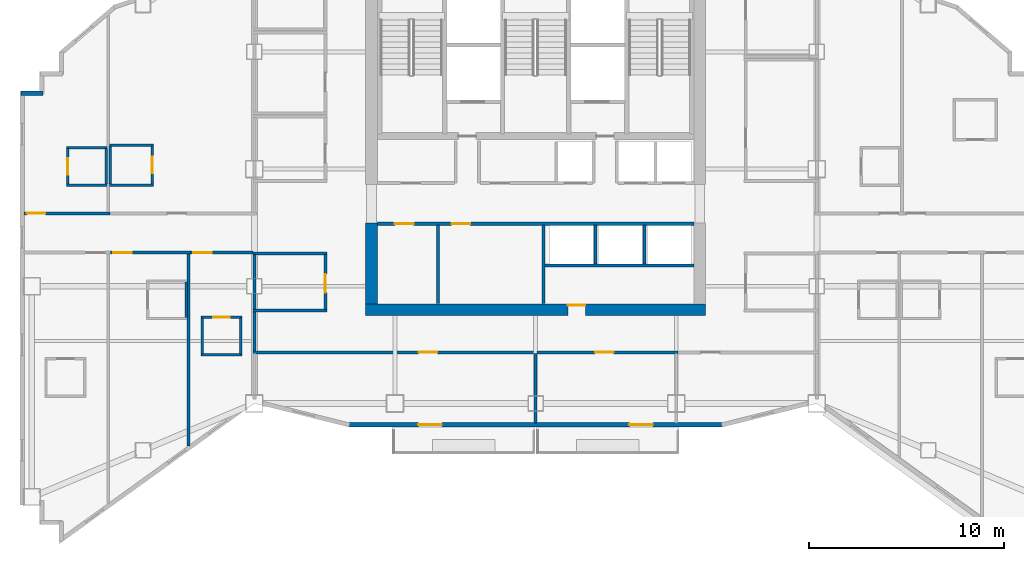
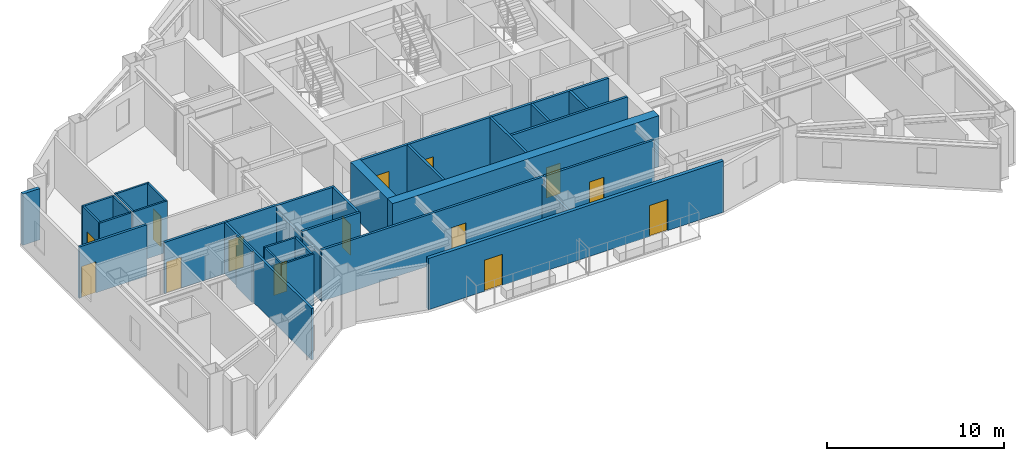
# One storey, part 5 of 12: 35 walls, 14 doors, 14 openings.
"""IFC4 building model written with IfcOpenShell, lengths in metres."""

from ifc_helpers import new_model, si_unit, direction, frame, frame_2d, origin, place, context, subcontext, project, spatial, rectangle, extrude, material, layer, layer_set, type_object, element, fill, save


model = new_model("IFC4")

# Units and contexts
model_context = context("Model", 3, precision=1e-05, world=origin(), true_north=direction((0.0, 1.0)))
body_context = subcontext(model_context, "Body", "Model", "MODEL_VIEW")
ifc_project = project(units=[si_unit("LENGTHUNIT", "METRE"), si_unit("AREAUNIT", "SQUARE_METRE"), si_unit("VOLUMEUNIT", "CUBIC_METRE"), si_unit("PLANEANGLEUNIT", "RADIAN"), si_unit("MASSUNIT", "GRAM", prefix="KILO")], contexts=[model_context])

# Site, building, storey
site_placement = place(None, origin())
site = spatial("IfcSite", under=ifc_project, at=site_placement, CompositionType="ELEMENT")
building_placement = place(site_placement, origin())
building = spatial("IfcBuilding", under=site, at=building_placement, Name="Haolan Belvedere Tower", CompositionType="ELEMENT")
storey_placement = place(building_placement, frame((0.0, 0.0, 203.199951171875)))
storey = spatial("IfcBuildingStorey", under=building, at=storey_placement, Name="L51", CompositionType="ELEMENT", Elevation=203.199951171875)

# Wall, opening, door
ifc_material_1 = material(Name="Concrete C60/75", Category="concrete")
ifc_layer_1 = layer(ifc_material_1, 0.60009765625, Name="Concrete C60/75")
ifc_layer_set_1 = layer_set([ifc_layer_1], Name="Concrete C60/75")
wall_type_1 = type_object("IfcWallType", Name="WL-CORE-600", PredefinedType="SHEAR", material=ifc_layer_set_1)
wall_1_placement = place(storey_placement, frame((29.699951171875, 26.39990234375, 0.0), z_axis=(0.0, 0.0, 1.0), x_axis=(1.0, 0.0, 0.0)))
wall_1 = element("IfcWall", 1, at=wall_1_placement, inside=storey, type_object=wall_type_1, Name="L51 central core south shear wall", PredefinedType="SHEAR", context=body_context, shape_type="SweptSolid", body=[
    extrude(rectangle(XDim=17.400146484375, YDim=0.60009765625, at=frame_2d((8.7001953125, 0.0))), origin(), (0.0, 0.0, 1.0), 3.5400390625),
])
opening_1_placement = place(wall_1_placement, frame((11.25, 0.0, 0.0), z_axis=(0.0, 0.0, 1.0), x_axis=(-1.0, 0.0, 0.0)))
opening_1 = element("IfcOpeningElement", 2, at=opening_1_placement, cuts=wall_1, Name="Opening FD-05", PredefinedType="OPENING", context=body_context, shape_type="SweptSolid", body=[
    extrude(rectangle(XDim=0.89990234375, YDim=2.10009765625, at=frame_2d((0.449951171875, 1.050048828125))), frame((0.0, 0.31005859375, 0.0), z_axis=(0.0, -1.0, 0.0), x_axis=(1.0, 0.0, 0.0)), (0.0, 0.0, 1.0), 0.6201171875),
])
ifc_material_2 = material(Name="Galvanised fire-rated steel", Category="steel")
door_type_1 = type_object("IfcDoorType", Name="DR-FD60-900", OperationType="NOTDEFINED", PredefinedType="DOOR", material=ifc_material_2)
door_1_placement = place(opening_1_placement, origin())
door_1 = element("IfcDoor", 3, at=door_1_placement, inside=storey, type_object=door_type_1, Name="L51 door CD-L51-SCVE", OperationType="SINGLE_SWING_RIGHT", OverallHeight=2.10009765625, OverallWidth=0.89990234375, PredefinedType="DOOR", context=body_context, shape_type="SweptSolid", body=[
    extrude(rectangle(XDim=0.89990234375, YDim=2.10009765625, at=frame_2d((0.449951171875, 1.050048828125))), frame((0.0, -0.19482421875, 0.0), z_axis=(0.0, -1.0, 0.0), x_axis=(1.0, 0.0, 0.0)), (0.0, 0.0, 1.0), 0.050048828125),
])
fill(opening_1, door_1)

# Wall
wall_2_placement = place(storey_placement, frame((30.0, 26.699951171875, 0.0), z_axis=(0.0, 0.0, 1.0), x_axis=(0.0, 1.0, 0.0)))
element("IfcWall", 4, at=wall_2_placement, inside=storey, type_object=wall_type_1, Name="L51 central core shear wall WS", PredefinedType="SHEAR", context=body_context, shape_type="SweptSolid", body=[
    extrude(rectangle(XDim=4.150146484375, YDim=0.60009765625, at=frame_2d((2.0751953125, 0.0))), origin(), (0.0, 0.0, 1.0), 3.5400390625),
])

# Wall, openings, doors
ifc_material_3 = material(Name="Precast concrete C40/50", Category="concrete")
ifc_layer_2 = layer(ifc_material_3, 0.219970703125, Name="Precast concrete C40/50")
ifc_layer_set_2 = layer_set([ifc_layer_2], Name="Precast concrete C40/50")
wall_type_2 = type_object("IfcWallType", Name="WL-EXT-220", PredefinedType="SOLIDWALL", material=ifc_layer_set_2)
wall_3_placement = place(storey_placement, frame((28.758544921875, 20.510009765625, 0.0), z_axis=(0.0, 0.0, 1.0), x_axis=(1.0, 0.0, 0.0)))
wall_3 = element("IfcWall", 5, at=wall_3_placement, inside=storey, type_object=wall_type_2, Name="L51 pale-metal exterior spandrel wall 1.1", PredefinedType="SOLIDWALL", context=body_context, shape_type="SweptSolid", body=[
    extrude(rectangle(XDim=19.282958984375, YDim=0.219970703125, at=frame_2d((9.6416015625, 0.0))), origin(), (0.0, 0.0, 1.0), 3.5400390625),
])
opening_2_placement = place(wall_3_placement, frame((4.841552734375, 0.0, 0.0), z_axis=(0.0, 0.0, 1.0), x_axis=(-1.0, 0.0, 0.0)))
opening_2 = element("IfcOpeningElement", 6, at=opening_2_placement, cuts=wall_3, Name="Opening BD-01", PredefinedType="OPENING", context=body_context, shape_type="SweptSolid", body=[
    extrude(rectangle(XDim=1.199951171875, YDim=2.14990234375, at=frame_2d((0.60009765625, 1.074951171875))), frame((0.0, 0.119873046875, 0.0), z_axis=(0.0, -1.0, 0.0), x_axis=(1.0, 0.0, 0.0)), (0.0, 0.0, 1.0), 0.239990234375),
])
opening_3_placement = place(wall_3_placement, frame((15.641357421875, 0.0, 0.0), z_axis=(0.0, 0.0, 1.0), x_axis=(-1.0, 0.0, 0.0)))
opening_3 = element("IfcOpeningElement", 7, at=opening_3_placement, cuts=wall_3, Name="Opening BD-01", PredefinedType="OPENING", context=body_context, shape_type="SweptSolid", body=[
    extrude(rectangle(XDim=1.199951171875, YDim=2.14990234375, at=frame_2d((0.60009765625, 1.074951171875))), frame((0.0, 0.119873046875, 0.0), z_axis=(0.0, -1.0, 0.0), x_axis=(1.0, 0.0, 0.0)), (0.0, 0.0, 1.0), 0.239990234375),
])
ifc_material_4 = material(Name="Thermally broken pale-metal aluminium and Low-E glass", Category="aluminium")
door_type_2 = type_object("IfcDoorType", Name="DR-BAL-1200", OperationType="NOTDEFINED", PredefinedType="DOOR", material=ifc_material_4)
door_2_placement = place(opening_2_placement, origin())
door_2 = element("IfcDoor", 8, at=door_2_placement, inside=storey, type_object=door_type_2, Name="L51 tree-balcony access door 1", OperationType="SINGLE_SWING_LEFT", OverallHeight=2.14990234375, OverallWidth=1.199951171875, PredefinedType="DOOR", context=body_context, shape_type="SweptSolid", body=[
    extrude(rectangle(XDim=1.199951171875, YDim=2.14990234375, at=frame_2d((0.60009765625, 1.074951171875))), frame((0.0, 0.02490234375, 0.0), z_axis=(0.0, -1.0, 0.0), x_axis=(1.0, 0.0, 0.0)), (0.0, 0.0, 1.0), 0.050048828125),
])
fill(opening_2, door_2)
door_3_placement = place(opening_3_placement, origin())
door_3 = element("IfcDoor", 9, at=door_3_placement, inside=storey, type_object=door_type_2, Name="L51 tree-balcony access door 2", OperationType="SINGLE_SWING_RIGHT", OverallHeight=2.14990234375, OverallWidth=1.199951171875, PredefinedType="DOOR", context=body_context, shape_type="SweptSolid", body=[
    extrude(rectangle(XDim=1.199951171875, YDim=2.14990234375, at=frame_2d((0.60009765625, 1.074951171875))), frame((0.0, 0.02490234375, 0.0), z_axis=(0.0, -1.0, 0.0), x_axis=(1.0, 0.0, 0.0)), (0.0, 0.0, 1.0), 0.050048828125),
])
fill(opening_3, door_3)

# Walls
wall_4_placement = place(storey_placement, frame((13.1650390625, 37.489990234375, 0.0), z_axis=(0.0, 0.0, 1.0), x_axis=(-1.0, 0.0, 0.0)))
element("IfcWall", 10, at=wall_4_placement, inside=storey, type_object=wall_type_2, Name="L51 pale-metal exterior spandrel wall 34.1", PredefinedType="SOLIDWALL", context=body_context, shape_type="SweptSolid", body=[
    extrude(rectangle(XDim=1.110107421875, YDim=0.219970703125, at=frame_2d((0.55517578125, 0.0))), origin(), (0.0, 0.0, 1.0), 3.5400390625),
])
ifc_material_5 = material(Name="Double gypsum acoustic stud partition", Category="masonry")
ifc_layer_3 = layer(ifc_material_5, 0.14990234375, Name="Double gypsum acoustic stud partition")
ifc_layer_set_3 = layer_set([ifc_layer_3], Name="Double gypsum acoustic stud partition")
wall_type_3 = type_object("IfcWallType", Name="WL-PART-150", PredefinedType="PARTITIONING", material=ifc_layer_set_3)
wall_5_placement = place(storey_placement, frame((33.39990234375, 26.7099609375, 0.0), z_axis=(0.0, 0.0, 1.0), x_axis=(0.0, 1.0, 0.0)))
element("IfcWall", 11, at=wall_5_placement, inside=storey, type_object=wall_type_3, Name="L51 interior partition IW-L51-DIV-REUSE-PM", PredefinedType="PARTITIONING", context=body_context, shape_type="SweptSolid", body=[
    extrude(rectangle(XDim=4.025146484375, YDim=0.14990234375, at=frame_2d((2.0126953125, 0.0))), origin(), (0.0, 0.0, 1.0), 3.5400390625),
])
wall_6_placement = place(storey_placement, frame((38.860107421875, 28.659912109375, 0.0), z_axis=(0.0, 0.0, 1.0), x_axis=(1.0, 0.0, 0.0)))
element("IfcWall", 12, at=wall_6_placement, inside=storey, type_object=wall_type_3, Name="L51 interior partition IW-L51-SSTRIP-E", PredefinedType="PARTITIONING", context=body_context, shape_type="SweptSolid", body=[
    extrude(rectangle(XDim=7.639892578125, YDim=0.14990234375, at=frame_2d((3.81982421875, 0.0))), origin(), (0.0, 0.0, 1.0), 3.5400390625),
])
for number, where, z_axis, x_axis, name in (
    (13, (23.919921875, 29.280029296875, 0.0), (0.0, 0.0, 1.0), (1.0, 0.0, 0.0), "L51 interior partition IW-L51-PKTW-N"),
    (14, (23.919921875, 26.35009765625, 0.0), (0.0, 0.0, 1.0), (1.0, 0.0, 0.0), "L51 interior partition IW-L51-PKTW-S"),
):
    element("IfcWall", number, at=place(storey_placement, frame(where, z_axis=z_axis, x_axis=x_axis)), inside=storey, type_object=wall_type_3, Name=name, PredefinedType="PARTITIONING", context=body_context, shape_type="SweptSolid", body=[
        extrude(rectangle(XDim=3.800048828125, YDim=0.14990234375, at=frame_2d((1.89990234375, 0.0))), origin(), (0.0, 0.0, 1.0), 3.5400390625),
    ])
wall_7_placement = place(storey_placement, frame((24.0, 26.409912109375, 0.0), z_axis=(0.0, 0.0, 1.0), x_axis=(0.0, 1.0, 0.0)))
element("IfcWall", 15, at=wall_7_placement, inside=storey, type_object=wall_type_3, Name="L51 interior partition IW-L51-PKTW-W", PredefinedType="PARTITIONING", context=body_context, shape_type="SweptSolid", body=[
    extrude(rectangle(XDim=2.81005859375, YDim=0.14990234375, at=frame_2d((1.405029296875, 0.0))), origin(), (0.0, 0.0, 1.0), 3.135009765625),
])

# Wall, opening, door
wall_8_placement = place(storey_placement, frame((27.639892578125, 26.409912109375, 0.0), z_axis=(0.0, 0.0, 1.0), x_axis=(0.0, 1.0, 0.0)))
wall_8 = element("IfcWall", 16, at=wall_8_placement, inside=storey, type_object=wall_type_3, Name="L51 interior partition IW-L51-PKTW-E", PredefinedType="PARTITIONING", context=body_context, shape_type="SweptSolid", body=[
    extrude(rectangle(XDim=2.81005859375, YDim=0.14990234375, at=frame_2d((1.405029296875, 0.0))), origin(), (0.0, 0.0, 1.0), 3.5400390625),
])
opening_4_placement = place(wall_8_placement, frame((1.81005859375, 0.0, 0.0), z_axis=(0.0, 0.0, 1.0), x_axis=(-1.0, 0.0, 0.0)))
opening_4 = element("IfcOpeningElement", 17, at=opening_4_placement, cuts=wall_8, Name="Opening ID-03", PredefinedType="OPENING", context=body_context, shape_type="SweptSolid", body=[
    extrude(rectangle(XDim=0.949951171875, YDim=2.1201171875, at=frame_2d((0.47509765625, 1.06005859375))), frame((0.0, 0.0849609375, 0.0), z_axis=(0.0, -1.0, 0.0), x_axis=(1.0, 0.0, 0.0)), (0.0, 0.0, 1.0), 0.169921875),
])
ifc_material_6 = material(Name="Painted solid-core timber", Category="wood")
door_type_3 = type_object("IfcDoorType", Name="DR-INT-950", OperationType="NOTDEFINED", PredefinedType="DOOR", material=ifc_material_6)
door_4_placement = place(opening_4_placement, origin())
door_4 = element("IfcDoor", 18, at=door_4_placement, inside=storey, type_object=door_type_3, Name="L51 door ID-L51-PKTW", OperationType="SINGLE_SWING_LEFT", OverallHeight=2.1201171875, OverallWidth=0.949951171875, PredefinedType="DOOR", context=body_context, shape_type="SweptSolid", body=[
    extrude(rectangle(XDim=0.949951171875, YDim=2.1201171875, at=frame_2d((0.47509765625, 1.06005859375))), frame((0.0, 0.02490234375, 0.0), z_axis=(0.0, -1.0, 0.0), x_axis=(1.0, 0.0, 0.0)), (0.0, 0.0, 1.0), 0.050048828125),
])
fill(opening_4, door_4)

wall_9_placement = place(storey_placement, frame((23.919921875, 24.219970703125, 0.0), z_axis=(0.0, 0.0, 1.0), x_axis=(1.0, 0.0, 0.0)))
wall_9 = element("IfcWall", 19, at=wall_9_placement, inside=storey, type_object=wall_type_3, Name="L51 interior partition IW-L51-KS1-N", PredefinedType="PARTITIONING", context=body_context, shape_type="SweptSolid", body=[
    extrude(rectangle(XDim=14.56005859375, YDim=0.14990234375, at=frame_2d((7.280029296875, 0.0))), origin(), (0.0, 0.0, 1.0), 3.5400390625),
])
opening_5_placement = place(wall_9_placement, frame((9.445068359375, 0.0, 0.0), z_axis=(0.0, 0.0, 1.0), x_axis=(-1.0, 0.0, 0.0)))
opening_5 = element("IfcOpeningElement", 20, at=opening_5_placement, cuts=wall_9, Name="Opening ID-03", PredefinedType="OPENING", context=body_context, shape_type="SweptSolid", body=[
    extrude(rectangle(XDim=0.949951171875, YDim=2.1201171875, at=frame_2d((0.47509765625, 1.06005859375))), frame((0.0, 0.0849609375, 0.0), z_axis=(0.0, -1.0, 0.0), x_axis=(1.0, 0.0, 0.0)), (0.0, 0.0, 1.0), 0.169921875),
])
door_5_placement = place(opening_5_placement, origin())
door_5 = element("IfcDoor", 21, at=door_5_placement, inside=storey, type_object=door_type_3, Name="L51 door ID-L51-KS1", OperationType="SINGLE_SWING_LEFT", OverallHeight=2.1201171875, OverallWidth=0.949951171875, PredefinedType="DOOR", context=body_context, shape_type="SweptSolid", body=[
    extrude(rectangle(XDim=0.949951171875, YDim=2.1201171875, at=frame_2d((0.47509765625, 1.06005859375))), frame((0.0, 0.02490234375, 0.0), z_axis=(0.0, -1.0, 0.0), x_axis=(1.0, 0.0, 0.0)), (0.0, 0.0, 1.0), 0.050048828125),
])
fill(opening_5, door_5)

# Wall
wall_10_placement = place(storey_placement, frame((38.39990234375, 20.612060546875, 0.0), z_axis=(0.0, 0.0, 1.0), x_axis=(0.0, 1.0, 0.0)))
element("IfcWall", 22, at=wall_10_placement, inside=storey, type_object=wall_type_3, Name="L51 interior partition IW-L51-KS1-E", PredefinedType="PARTITIONING", context=body_context, shape_type="SweptSolid", body=[
    extrude(rectangle(XDim=3.5478515625, YDim=0.14990234375, at=frame_2d((1.77392578125, 0.0))), origin(), (0.0, 0.0, 1.0), 3.025146484375),
])

# Wall, opening, door
wall_11_placement = place(storey_placement, frame((38.48193359375, 24.219970703125, 0.0), z_axis=(0.0, 0.0, 1.0), x_axis=(1.0, 0.0, 0.0)))
wall_11 = element("IfcWall", 23, at=wall_11_placement, inside=storey, type_object=wall_type_3, Name="L51 interior partition IW-L51-KS2-N", PredefinedType="PARTITIONING", context=body_context, shape_type="SweptSolid", body=[
    extrude(rectangle(XDim=7.197998046875, YDim=0.14990234375, at=frame_2d((3.59912109375, 0.0))), origin(), (0.0, 0.0, 1.0), 3.5400390625),
])
opening_6_placement = place(wall_11_placement, frame((3.912841796875, 0.0, 0.0), z_axis=(0.0, 0.0, 1.0), x_axis=(-1.0, 0.0, 0.0)))
opening_6 = element("IfcOpeningElement", 24, at=opening_6_placement, cuts=wall_11, Name="Opening ID-03", PredefinedType="OPENING", context=body_context, shape_type="SweptSolid", body=[
    extrude(rectangle(XDim=0.949951171875, YDim=2.1201171875, at=frame_2d((0.47509765625, 1.06005859375))), frame((0.0, 0.0849609375, 0.0), z_axis=(0.0, -1.0, 0.0), x_axis=(1.0, 0.0, 0.0)), (0.0, 0.0, 1.0), 0.169921875),
])
door_6_placement = place(opening_6_placement, origin())
door_6 = element("IfcDoor", 25, at=door_6_placement, inside=storey, type_object=door_type_3, Name="L51 door ID-L51-KS2", OperationType="SINGLE_SWING_RIGHT", OverallHeight=2.1201171875, OverallWidth=0.949951171875, PredefinedType="DOOR", context=body_context, shape_type="SweptSolid", body=[
    extrude(rectangle(XDim=0.949951171875, YDim=2.1201171875, at=frame_2d((0.47509765625, 1.06005859375))), frame((0.0, 0.02490234375, 0.0), z_axis=(0.0, -1.0, 0.0), x_axis=(1.0, 0.0, 0.0)), (0.0, 0.0, 1.0), 0.050048828125),
])
fill(opening_6, door_6)

wall_12_placement = place(storey_placement, frame((12.2119140625, 31.330078125, 0.0), z_axis=(0.0, 0.0, 1.0), x_axis=(1.0, 0.0, 0.0)))
wall_12 = element("IfcWall", 26, at=wall_12_placement, inside=storey, type_object=wall_type_3, Name="L51 interior partition IW-L51-T2N1-S", PredefinedType="PARTITIONING", context=body_context, shape_type="SweptSolid", body=[
    extrude(rectangle(XDim=4.408203125, YDim=0.14990234375, at=frame_2d((2.2041015625, 0.0))), origin(), (0.0, 0.0, 1.0), 3.5400390625),
])
opening_7_placement = place(wall_12_placement, frame((0.139892578125, 0.0, 0.0)))
opening_7 = element("IfcOpeningElement", 27, at=opening_7_placement, cuts=wall_12, Name="Opening ID-02", PredefinedType="OPENING", context=body_context, shape_type="SweptSolid", body=[
    extrude(rectangle(XDim=0.949951171875, YDim=2.14990234375, at=frame_2d((0.47509765625, 1.074951171875))), frame((0.0, 0.0849609375, 0.0), z_axis=(0.0, -1.0, 0.0), x_axis=(1.0, 0.0, 0.0)), (0.0, 0.0, 1.0), 0.169921875),
])
ifc_material_7 = material(Name="Acoustic oak veneer fire-rated timber", Category="wood")
door_type_4 = type_object("IfcDoorType", Name="DR-GUEST-950", OperationType="NOTDEFINED", PredefinedType="DOOR", material=ifc_material_7)
door_7_placement = place(opening_7_placement, origin())
door_7 = element("IfcDoor", 28, at=door_7_placement, inside=storey, type_object=door_type_4, Name="L51 door ID-L51-T2N1-ENT", OperationType="SINGLE_SWING_LEFT", OverallHeight=2.14990234375, OverallWidth=0.949951171875, PredefinedType="DOOR", context=body_context, shape_type="SweptSolid", body=[
    extrude(rectangle(XDim=0.949951171875, YDim=2.14990234375, at=frame_2d((0.47509765625, 1.074951171875))), frame((0.0, 0.02490234375, 0.0), z_axis=(0.0, -1.0, 0.0), x_axis=(1.0, 0.0, 0.0)), (0.0, 0.0, 1.0), 0.050048828125),
])
fill(opening_7, door_7)

wall_13_placement = place(storey_placement, frame((16.6220703125, 29.320068359375, 0.0), z_axis=(0.0, 0.0, 1.0), x_axis=(1.0, 0.0, 0.0)))
wall_13 = element("IfcWall", 29, at=wall_13_placement, inside=storey, type_object=wall_type_3, Name="L51 interior partition IW-L51-T2S2-N", PredefinedType="PARTITIONING", context=body_context, shape_type="SweptSolid", body=[
    extrude(rectangle(XDim=4.097900390625, YDim=0.14990234375, at=frame_2d((2.048828125, 0.0))), origin(), (0.0, 0.0, 1.0), 3.5400390625),
])
opening_8_placement = place(wall_13_placement, frame((1.08984375, 0.0, 0.0), z_axis=(0.0, 0.0, 1.0), x_axis=(-1.0, 0.0, 0.0)))
opening_8 = element("IfcOpeningElement", 30, at=opening_8_placement, cuts=wall_13, Name="Opening ID-02", PredefinedType="OPENING", context=body_context, shape_type="SweptSolid", body=[
    extrude(rectangle(XDim=0.949951171875, YDim=2.14990234375, at=frame_2d((0.47509765625, 1.074951171875))), frame((0.0, 0.0849609375, 0.0), z_axis=(0.0, -1.0, 0.0), x_axis=(1.0, 0.0, 0.0)), (0.0, 0.0, 1.0), 0.169921875),
])
door_8_placement = place(opening_8_placement, origin())
door_8 = element("IfcDoor", 31, at=door_8_placement, inside=storey, type_object=door_type_4, Name="L51 door ID-L51-T2S2-ENT", OperationType="SINGLE_SWING_RIGHT", OverallHeight=2.14990234375, OverallWidth=0.949951171875, PredefinedType="DOOR", context=body_context, shape_type="SweptSolid", body=[
    extrude(rectangle(XDim=0.949951171875, YDim=2.14990234375, at=frame_2d((0.47509765625, 1.074951171875))), frame((0.0, 0.02490234375, 0.0), z_axis=(0.0, -1.0, 0.0), x_axis=(1.0, 0.0, 0.0)), (0.0, 0.0, 1.0), 0.050048828125),
])
fill(opening_8, door_8)

# Wall
wall_14_placement = place(storey_placement, frame((20.6201171875, 19.427490234375, 0.0), z_axis=(0.0, 0.0, 1.0), x_axis=(0.0, 1.0, 0.0)))
element("IfcWall", 32, at=wall_14_placement, inside=storey, type_object=wall_type_3, Name="L51 interior partition IW-L51-T2S2-E", PredefinedType="PARTITIONING", context=body_context, shape_type="SweptSolid", body=[
    extrude(rectangle(XDim=9.83251953125, YDim=0.14990234375, at=frame_2d((4.916259765625, 0.0))), origin(), (0.0, 0.0, 1.0), 3.5400390625),
])

# Wall, opening, door
wall_15_placement = place(storey_placement, frame((20.721923828125, 29.320068359375, 0.0), z_axis=(0.0, 0.0, 1.0), x_axis=(1.0, 0.0, 0.0)))
wall_15 = element("IfcWall", 33, at=wall_15_placement, inside=storey, type_object=wall_type_3, Name="L51 interior partition IW-L51-T2S3-N", PredefinedType="PARTITIONING", context=body_context, shape_type="SweptSolid", body=[
    extrude(rectangle(XDim=3.196044921875, YDim=0.14990234375, at=frame_2d((1.59814453125, 0.0))), origin(), (0.0, 0.0, 1.0), 3.5400390625),
])
opening_9_placement = place(wall_15_placement, frame((1.08984375, 0.0, 0.0), z_axis=(0.0, 0.0, 1.0), x_axis=(-1.0, 0.0, 0.0)))
opening_9 = element("IfcOpeningElement", 34, at=opening_9_placement, cuts=wall_15, Name="Opening ID-02", PredefinedType="OPENING", context=body_context, shape_type="SweptSolid", body=[
    extrude(rectangle(XDim=0.949951171875, YDim=2.14990234375, at=frame_2d((0.47509765625, 1.074951171875))), frame((0.0, 0.0849609375, 0.0), z_axis=(0.0, -1.0, 0.0), x_axis=(1.0, 0.0, 0.0)), (0.0, 0.0, 1.0), 0.169921875),
])
door_9_placement = place(opening_9_placement, origin())
door_9 = element("IfcDoor", 35, at=door_9_placement, inside=storey, type_object=door_type_4, Name="L51 door ID-L51-T2S3-ENT", OperationType="SINGLE_SWING_LEFT", OverallHeight=2.14990234375, OverallWidth=0.949951171875, PredefinedType="DOOR", context=body_context, shape_type="SweptSolid", body=[
    extrude(rectangle(XDim=0.949951171875, YDim=2.14990234375, at=frame_2d((0.47509765625, 1.074951171875))), frame((0.0, 0.02490234375, 0.0), z_axis=(0.0, -1.0, 0.0), x_axis=(1.0, 0.0, 0.0)), (0.0, 0.0, 1.0), 0.050048828125),
])
fill(opening_9, door_9)

# Wall
wall_16_placement = place(storey_placement, frame((24.0, 24.280029296875, 0.0), z_axis=(0.0, 0.0, 1.0), x_axis=(0.0, 1.0, 0.0)))
element("IfcWall", 36, at=wall_16_placement, inside=storey, type_object=wall_type_3, Name="L51 interior partition IW-L51-T2S3-E", PredefinedType="PARTITIONING", context=body_context, shape_type="SweptSolid", body=[
    extrude(rectangle(XDim=2.010009765625, YDim=0.14990234375, at=frame_2d((1.0048828125, 0.0))), origin(), (0.0, 0.0, 1.0), 3.135009765625),
])

# Wall, openings, doors
ifc_material_8 = material(Name="Gypsum fire shaftwall assembly", Category="masonry")
ifc_layer_4 = layer(ifc_material_8, 0.1650390625, Name="Gypsum fire shaftwall assembly")
ifc_layer_set_4 = layer_set([ifc_layer_4], Name="Gypsum fire shaftwall assembly")
wall_type_4 = type_object("IfcWallType", Name="WL-SHAFT-160", PredefinedType="SOLIDWALL", material=ifc_layer_set_4)
wall_17_placement = place(storey_placement, frame((30.300048828125, 30.800048828125, 0.0), z_axis=(0.0, 0.0, 1.0), x_axis=(1.0, 0.0, 0.0)))
wall_17 = element("IfcWall", 37, at=wall_17_placement, inside=storey, type_object=wall_type_4, Name="L51 interior partition IW-L51-ROW-PS", PredefinedType="SOLIDWALL", context=body_context, shape_type="SweptSolid", body=[
    extrude(rectangle(XDim=16.199951171875, YDim=0.159912109375, at=frame_2d((8.10009765625, 0.0))), origin(), (0.0, 0.0, 1.0), 3.5400390625),
])
opening_10_placement = place(wall_17_placement, frame((0.89990234375, 0.0, 0.0)))
opening_10 = element("IfcOpeningElement", 38, at=opening_10_placement, cuts=wall_17, Name="Opening ID-03", PredefinedType="OPENING", context=body_context, shape_type="SweptSolid", body=[
    extrude(rectangle(XDim=0.949951171875, YDim=2.1201171875, at=frame_2d((0.47509765625, 1.06005859375))), frame((0.0, 0.08984375, 0.0), z_axis=(0.0, -1.0, 0.0), x_axis=(1.0, 0.0, 0.0)), (0.0, 0.0, 1.0), 0.179931640625),
])
opening_11_placement = place(wall_17_placement, frame((3.800048828125, 0.0, 0.0)))
opening_11 = element("IfcOpeningElement", 39, at=opening_11_placement, cuts=wall_17, Name="Opening ID-03", PredefinedType="OPENING", context=body_context, shape_type="SweptSolid", body=[
    extrude(rectangle(XDim=0.949951171875, YDim=2.1201171875, at=frame_2d((0.47509765625, 1.06005859375))), frame((0.0, 0.08984375, 0.0), z_axis=(0.0, -1.0, 0.0), x_axis=(1.0, 0.0, 0.0)), (0.0, 0.0, 1.0), 0.179931640625),
])
door_10_placement = place(opening_10_placement, origin())
door_10 = element("IfcDoor", 40, at=door_10_placement, inside=storey, type_object=door_type_3, Name="L51 door ID-L51-CD-RPMA", OperationType="SINGLE_SWING_LEFT", OverallHeight=2.1201171875, OverallWidth=0.949951171875, PredefinedType="DOOR", context=body_context, shape_type="SweptSolid", body=[
    extrude(rectangle(XDim=0.949951171875, YDim=2.1201171875, at=frame_2d((0.47509765625, 1.06005859375))), frame((0.0, 0.02490234375, 0.0), z_axis=(0.0, -1.0, 0.0), x_axis=(1.0, 0.0, 0.0)), (0.0, 0.0, 1.0), 0.050048828125),
])
fill(opening_10, door_10)
door_11_placement = place(opening_11_placement, origin())
door_11 = element("IfcDoor", 41, at=door_11_placement, inside=storey, type_object=door_type_3, Name="L51 door ID-L51-CD-RPMB", OperationType="SINGLE_SWING_RIGHT", OverallHeight=2.1201171875, OverallWidth=0.949951171875, PredefinedType="DOOR", context=body_context, shape_type="SweptSolid", body=[
    extrude(rectangle(XDim=0.949951171875, YDim=2.1201171875, at=frame_2d((0.47509765625, 1.06005859375))), frame((0.0, 0.02490234375, 0.0), z_axis=(0.0, -1.0, 0.0), x_axis=(1.0, 0.0, 0.0)), (0.0, 0.0, 1.0), 0.050048828125),
])
fill(opening_11, door_11)

# Walls
wall_18_placement = place(storey_placement, frame((38.800048828125, 26.7099609375, 0.0), z_axis=(0.0, 0.0, 1.0), x_axis=(0.0, 1.0, 0.0)))
element("IfcWall", 42, at=wall_18_placement, inside=storey, type_object=wall_type_4, Name="L51 interior partition IW-L51-DIV-PM-OB", PredefinedType="SOLIDWALL", context=body_context, shape_type="SweptSolid", body=[
    extrude(rectangle(XDim=4.025146484375, YDim=0.14990234375, at=frame_2d((2.0126953125, 0.0))), origin(), (0.0, 0.0, 1.0), 3.5400390625),
])
for number, where, z_axis, x_axis, name in (
    (43, (41.469970703125, 28.75, 0.0), (0.0, 0.0, 1.0), (0.0, 1.0, 0.0), "L51 interior partition IW-L51-DIV-OB1"),
    (44, (43.97998046875, 28.75, 0.0), (0.0, 0.0, 1.0), (0.0, 1.0, 0.0), "L51 interior partition IW-L51-DIV-OB2"),
):
    element("IfcWall", number, at=place(storey_placement, frame(where, z_axis=z_axis, x_axis=x_axis)), inside=storey, type_object=wall_type_4, Name=name, PredefinedType="SOLIDWALL", context=body_context, shape_type="SweptSolid", body=[
        extrude(rectangle(XDim=1.985107421875, YDim=0.14990234375, at=frame_2d((0.99267578125, 0.0))), origin(), (0.0, 0.0, 1.0), 3.5400390625),
    ])
ifc_material_9 = material(Name="Moisture-resistant gypsum tile partition", Category="masonry")
ifc_layer_5 = layer(ifc_material_9, 0.1201171875, Name="Moisture-resistant gypsum tile partition")
ifc_layer_set_5 = layer_set([ifc_layer_5], Name="Moisture-resistant gypsum tile partition")
wall_type_5 = type_object("IfcWallType", Name="WL-WET-120", PredefinedType="PARTITIONING", material=ifc_layer_set_5)
for number, where, z_axis, x_axis, name in (
    (45, (14.3798828125, 34.699951171875, 0.0), (0.0, 0.0, 1.0), (1.0, 0.0, 0.0), "L51 interior partition IW-L51-T2N1-BN"),
    (46, (14.3798828125, 32.780029296875, 0.0), (0.0, 0.0, 1.0), (1.0, 0.0, 0.0), "L51 interior partition IW-L51-T2N1-BS"),
):
    element("IfcWall", number, at=place(storey_placement, frame(where, z_axis=z_axis, x_axis=x_axis)), inside=storey, type_object=wall_type_5, Name=name, PredefinedType="PARTITIONING", context=body_context, shape_type="SweptSolid", body=[
        extrude(rectangle(XDim=2.080078125, YDim=0.1201171875, at=frame_2d((1.0400390625, 0.0))), origin(), (0.0, 0.0, 1.0), 3.5400390625),
    ])

# Wall, opening, door
wall_19_placement = place(storey_placement, frame((14.43994140625, 32.824951171875, 0.0), z_axis=(0.0, 0.0, 1.0), x_axis=(0.0, 1.0, 0.0)))
wall_19 = element("IfcWall", 47, at=wall_19_placement, inside=storey, type_object=wall_type_5, Name="L51 interior partition IW-L51-T2N1-BW", PredefinedType="PARTITIONING", context=body_context, shape_type="SweptSolid", body=[
    extrude(rectangle(XDim=1.830078125, YDim=0.1201171875, at=frame_2d((0.9150390625, 0.0))), origin(), (0.0, 0.0, 1.0), 3.5400390625),
])
opening_12_placement = place(wall_19_placement, frame((1.340087890625, 0.0, 0.0), z_axis=(0.0, 0.0, 1.0), x_axis=(-1.0, 0.0, 0.0)))
opening_12 = element("IfcOpeningElement", 48, at=opening_12_placement, cuts=wall_19, Name="Opening ID-05", PredefinedType="OPENING", context=body_context, shape_type="SweptSolid", body=[
    extrude(rectangle(XDim=0.85009765625, YDim=2.10009765625, at=frame_2d((0.425048828125, 1.050048828125))), frame((0.0, 0.070068359375, 0.0), z_axis=(0.0, -1.0, 0.0), x_axis=(1.0, 0.0, 0.0)), (0.0, 0.0, 1.0), 0.14013671875),
])
ifc_material_10 = material(Name="Moisture-resistant lacquered timber", Category="wood")
door_type_5 = type_object("IfcDoorType", Name="DR-BATH-850", OperationType="NOTDEFINED", PredefinedType="DOOR", material=ifc_material_10)
door_12_placement = place(opening_12_placement, origin())
door_12 = element("IfcDoor", 49, at=door_12_placement, inside=storey, type_object=door_type_5, Name="L51 door ID-L51-T2N1-BATH", OperationType="SINGLE_SWING_RIGHT", OverallHeight=2.10009765625, OverallWidth=0.85009765625, PredefinedType="DOOR", context=body_context, shape_type="SweptSolid", body=[
    extrude(rectangle(XDim=0.85009765625, YDim=2.10009765625, at=frame_2d((0.425048828125, 1.050048828125))), frame((0.0, 0.02490234375, 0.0), z_axis=(0.0, -1.0, 0.0), x_axis=(1.0, 0.0, 0.0)), (0.0, 0.0, 1.0), 0.050048828125),
])
fill(opening_12, door_12)

# Walls
wall_20_placement = place(storey_placement, frame((16.419921875, 32.824951171875, 0.0), z_axis=(0.0, 0.0, 1.0), x_axis=(0.0, 1.0, 0.0)))
element("IfcWall", 50, at=wall_20_placement, inside=storey, type_object=wall_type_5, Name="L51 interior partition IW-L51-T2N1-BE", PredefinedType="PARTITIONING", context=body_context, shape_type="SweptSolid", body=[
    extrude(rectangle(XDim=1.830078125, YDim=0.1201171875, at=frame_2d((0.9150390625, 0.0))), origin(), (0.0, 0.0, 1.0), 3.5400390625),
])
for number, where, z_axis, x_axis, name in (
    (51, (16.580078125, 34.830078125, 0.0), (0.0, 0.0, 1.0), (1.0, 0.0, 0.0), "L51 interior partition IW-L51-T2N2-BN"),
    (52, (16.580078125, 32.780029296875, 0.0), (0.0, 0.0, 1.0), (1.0, 0.0, 0.0), "L51 interior partition IW-L51-T2N2-BS"),
):
    element("IfcWall", number, at=place(storey_placement, frame(where, z_axis=z_axis, x_axis=x_axis)), inside=storey, type_object=wall_type_5, Name=name, PredefinedType="PARTITIONING", context=body_context, shape_type="SweptSolid", body=[
        extrude(rectangle(XDim=2.25, YDim=0.1201171875, at=frame_2d((1.125, 0.0))), origin(), (0.0, 0.0, 1.0), 3.5400390625),
    ])
wall_21_placement = place(storey_placement, frame((16.6201171875, 32.824951171875, 0.0), z_axis=(0.0, 0.0, 1.0), x_axis=(0.0, 1.0, 0.0)))
element("IfcWall", 53, at=wall_21_placement, inside=storey, type_object=wall_type_5, Name="L51 interior partition IW-L51-T2N2-BW", PredefinedType="PARTITIONING", context=body_context, shape_type="SweptSolid", body=[
    extrude(rectangle(XDim=1.9599609375, YDim=0.1201171875, at=frame_2d((0.97998046875, 0.0))), origin(), (0.0, 0.0, 1.0), 3.5400390625),
])

# Wall, opening, door
wall_22_placement = place(storey_placement, frame((18.77001953125, 32.824951171875, 0.0), z_axis=(0.0, 0.0, 1.0), x_axis=(0.0, 1.0, 0.0)))
wall_22 = element("IfcWall", 54, at=wall_22_placement, inside=storey, type_object=wall_type_5, Name="L51 interior partition IW-L51-T2N2-BE", PredefinedType="PARTITIONING", context=body_context, shape_type="SweptSolid", body=[
    extrude(rectangle(XDim=1.9599609375, YDim=0.1201171875, at=frame_2d((0.97998046875, 0.0))), origin(), (0.0, 0.0, 1.0), 3.5400390625),
])
opening_13_placement = place(wall_22_placement, frame((0.554931640625, 0.0, 0.0)))
opening_13 = element("IfcOpeningElement", 55, at=opening_13_placement, cuts=wall_22, Name="Opening ID-05", PredefinedType="OPENING", context=body_context, shape_type="SweptSolid", body=[
    extrude(rectangle(XDim=0.85009765625, YDim=2.10009765625, at=frame_2d((0.425048828125, 1.050048828125))), frame((0.0, 0.070068359375, 0.0), z_axis=(0.0, -1.0, 0.0), x_axis=(1.0, 0.0, 0.0)), (0.0, 0.0, 1.0), 0.14013671875),
])
door_13_placement = place(opening_13_placement, origin())
door_13 = element("IfcDoor", 56, at=door_13_placement, inside=storey, type_object=door_type_5, Name="L51 door ID-L51-T2N2-BATH", OperationType="SINGLE_SWING_LEFT", OverallHeight=2.10009765625, OverallWidth=0.85009765625, PredefinedType="DOOR", context=body_context, shape_type="SweptSolid", body=[
    extrude(rectangle(XDim=0.85009765625, YDim=2.10009765625, at=frame_2d((0.425048828125, 1.050048828125))), frame((0.0, 0.02490234375, 0.0), z_axis=(0.0, -1.0, 0.0), x_axis=(1.0, 0.0, 0.0)), (0.0, 0.0, 1.0), 0.050048828125),
])
fill(opening_13, door_13)

# Wall
wall_23_placement = place(storey_placement, frame((20.52001953125, 25.9951171875, 0.0), z_axis=(0.0, 0.0, 1.0), x_axis=(0.0, 1.0, 0.0)))
element("IfcWall", 57, at=wall_23_placement, inside=storey, type_object=wall_type_5, Name="L51 interior partition IW-L51-T2S2-BE", PredefinedType="PARTITIONING", context=body_context, shape_type="SweptSolid", body=[
    extrude(rectangle(XDim=1.829833984375, YDim=0.1201171875, at=frame_2d((0.9150390625, 0.0))), origin(), (0.0, 0.0, 1.0), 3.5400390625),
])

# Wall, opening, door
wall_24_placement = place(storey_placement, frame((21.26806640625, 26.01708984375, 0.0), z_axis=(0.0, 0.0, 1.0), x_axis=(1.0, 0.0, 0.0)))
wall_24 = element("IfcWall", 58, at=wall_24_placement, inside=storey, type_object=wall_type_5, Name="L51 interior partition IW-L51-T2S3-BN", PredefinedType="PARTITIONING", context=body_context, shape_type="SweptSolid", body=[
    extrude(rectangle(XDim=2.099853515625, YDim=0.1201171875, at=frame_2d((1.0498046875, 0.0))), origin(), (0.0, 0.0, 1.0), 3.5400390625),
])
opening_14_placement = place(wall_24_placement, frame((1.47509765625, 0.0, 0.0), z_axis=(0.0, 0.0, 1.0), x_axis=(-1.0, 0.0, 0.0)))
opening_14 = element("IfcOpeningElement", 59, at=opening_14_placement, cuts=wall_24, Name="Opening ID-05", PredefinedType="OPENING", context=body_context, shape_type="SweptSolid", body=[
    extrude(rectangle(XDim=0.85009765625, YDim=2.10009765625, at=frame_2d((0.425048828125, 1.050048828125))), frame((0.0, 0.070068359375, 0.0), z_axis=(0.0, -1.0, 0.0), x_axis=(1.0, 0.0, 0.0)), (0.0, 0.0, 1.0), 0.14013671875),
])
door_14_placement = place(opening_14_placement, origin())
door_14 = element("IfcDoor", 60, at=door_14_placement, inside=storey, type_object=door_type_5, Name="L51 door ID-L51-T2S3-BATH", OperationType="SINGLE_SWING_RIGHT", OverallHeight=2.10009765625, OverallWidth=0.85009765625, PredefinedType="DOOR", context=body_context, shape_type="SweptSolid", body=[
    extrude(rectangle(XDim=0.85009765625, YDim=2.10009765625, at=frame_2d((0.425048828125, 1.050048828125))), frame((0.0, 0.02490234375, 0.0), z_axis=(0.0, -1.0, 0.0), x_axis=(1.0, 0.0, 0.0)), (0.0, 0.0, 1.0), 0.050048828125),
])
fill(opening_14, door_14)

# Walls
wall_25_placement = place(storey_placement, frame((21.26806640625, 24.096923828125, 0.0), z_axis=(0.0, 0.0, 1.0), x_axis=(1.0, 0.0, 0.0)))
element("IfcWall", 61, at=wall_25_placement, inside=storey, type_object=wall_type_5, Name="L51 interior partition IW-L51-T2S3-BS", PredefinedType="PARTITIONING", context=body_context, shape_type="SweptSolid", body=[
    extrude(rectangle(XDim=2.099853515625, YDim=0.1201171875, at=frame_2d((1.0498046875, 0.0))), origin(), (0.0, 0.0, 1.0), 3.5400390625),
])
for number, where, z_axis, x_axis, name in (
    (62, (21.327880859375, 24.14208984375, 0.0), (0.0, 0.0, 1.0), (0.0, 1.0, 0.0), "L51 interior partition IW-L51-T2S3-BW"),
    (63, (23.30810546875, 24.14208984375, 0.0), (0.0, 0.0, 1.0), (0.0, 1.0, 0.0), "L51 interior partition IW-L51-T2S3-BE"),
):
    element("IfcWall", number, at=place(storey_placement, frame(where, z_axis=z_axis, x_axis=x_axis)), inside=storey, type_object=wall_type_5, Name=name, PredefinedType="PARTITIONING", context=body_context, shape_type="SweptSolid", body=[
        extrude(rectangle(XDim=1.829833984375, YDim=0.1201171875, at=frame_2d((0.9150390625, 0.0))), origin(), (0.0, 0.0, 1.0), 3.5400390625),
    ])

save(model, "model.ifc")
